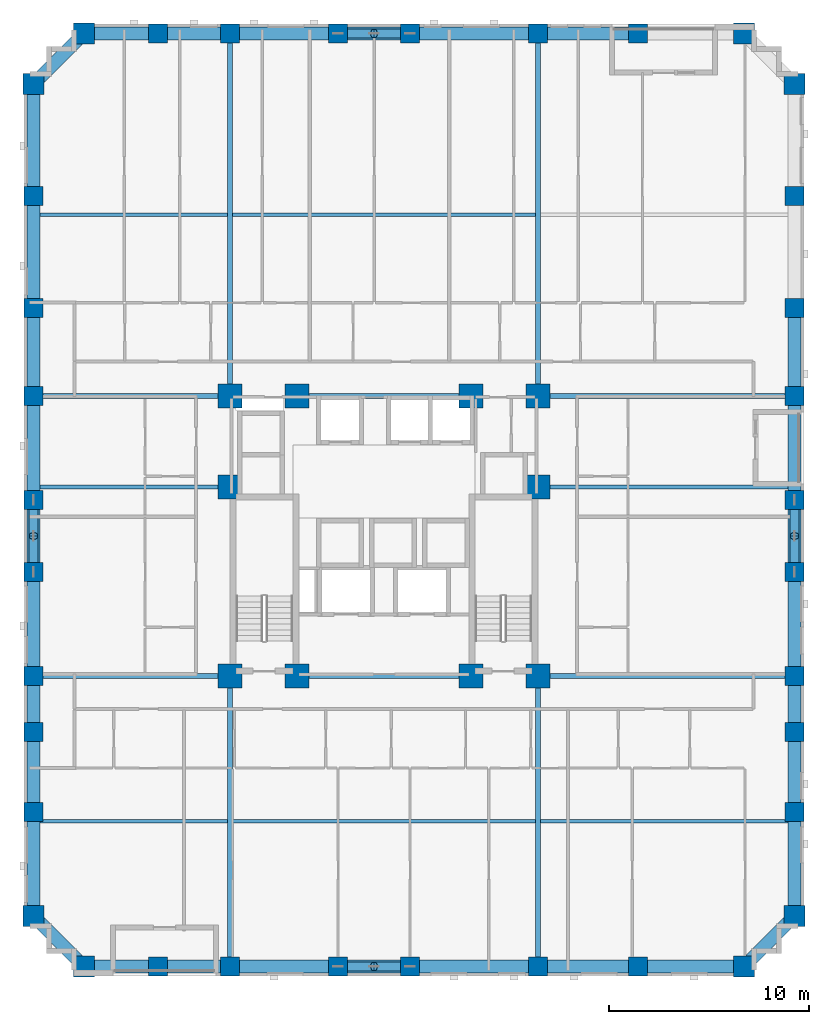
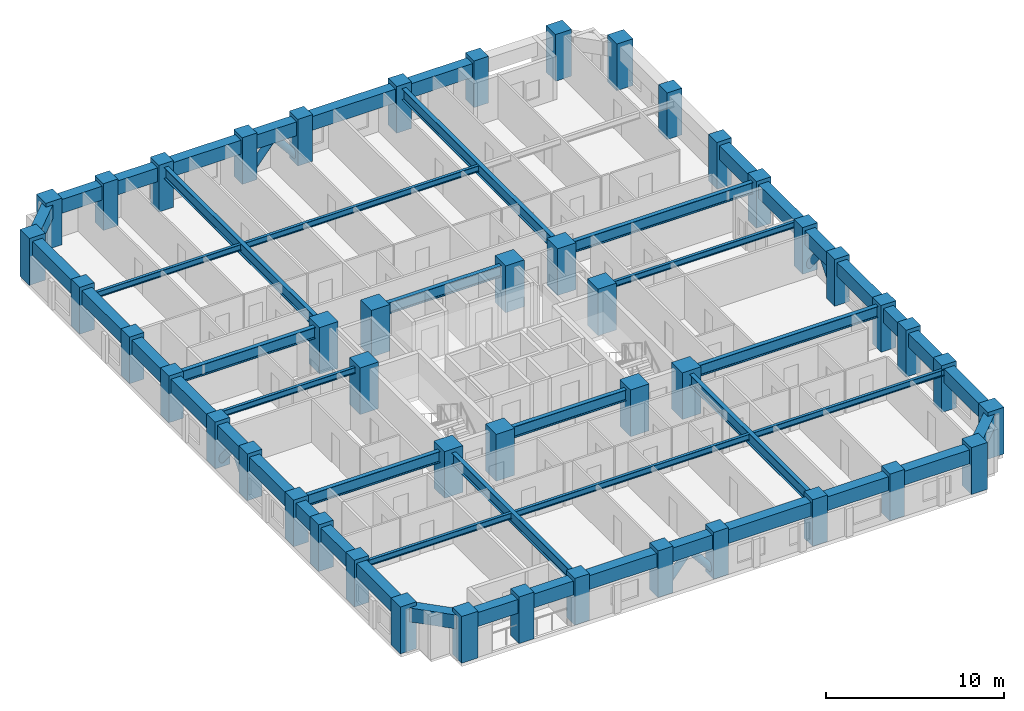
# One storey, part 1 of 13: 49 beams, 46 columns, 8 members.
"""IFC4 building model written with IfcOpenShell, lengths in metres."""

from ifc_helpers import new_model, si_unit, derived_unit, direction, frame, origin, origin_2d, place, context, subcontext, project, spatial, rectangle, hollow_circle, i_section, extrude, material, material_profile, profile_set, type_object, element, save


model = new_model("IFC4")

# Units and contexts
model_context = context("Model", 3, precision=1e-05, world=origin(), true_north=direction((0.0, 1.0)))
body_context = subcontext(model_context, "Body", "Model", "MODEL_VIEW")
ifc_project = project(units=[si_unit("LENGTHUNIT", "METRE"), si_unit("AREAUNIT", "SQUARE_METRE"), si_unit("VOLUMEUNIT", "CUBIC_METRE"), si_unit("PLANEANGLEUNIT", "RADIAN"), si_unit("MASSUNIT", "GRAM", prefix="KILO"), derived_unit("THERMALTRANSMITTANCEUNIT", [(si_unit("MASSUNIT", "GRAM", prefix="KILO"), 1), (si_unit("TIMEUNIT", "SECOND"), -3), (si_unit("THERMODYNAMICTEMPERATUREUNIT", "KELVIN"), -1)])], contexts=[model_context])

# Site, building, storey
site_placement = place(None, origin())
site = spatial("IfcSite", under=ifc_project, at=site_placement, CompositionType="ELEMENT")
building_placement = place(site_placement, origin())
building = spatial("IfcBuilding", under=site, at=building_placement, Name="Korrvale Station Residences", CompositionType="ELEMENT")
storey_placement = place(building_placement, frame((0.0, 0.0, 35.39990234375)))
storey = spatial("IfcBuildingStorey", under=building, at=storey_placement, Name="L08", CompositionType="ELEMENT", Elevation=35.39990234375)

# Columns
ifc_material_1 = material(Name="Concrete C70/85", Category="concrete")
ifc_material_profile_1 = material_profile(ifc_material_1, rectangle(XDim=1.050048828125, YDim=1.050048828125, at=origin_2d()), Name="RC1050x1050")
ifc_profile_set_1 = profile_set([ifc_material_profile_1], Name="Concrete C70/85")
column_type_1 = type_object("IfcColumnType", Name="COL-C-RC1050x1050-C7085", PredefinedType="COLUMN", material=ifc_profile_set_1)
for number, where, z_axis, x_axis, name in (
    (1, (10.5, 0.47998046875, 0.0), (0.0, 0.0, 1.0), (1.0, 0.0, 0.0), "L08 Bundled-Tube South Column 01"),
    (2, (43.5, 0.47998046875, 0.0), (0.0, 0.0, 1.0), (1.0, 0.0, 0.0), "L08 Bundled-Tube South Column 08"),
    (3, (10.5, 47.1201171875, 0.0), (0.0, 0.0, 1.0), (1.0, 0.0, 0.0), "L08 Bundled-Tube North Column 09"),
    (4, (43.5, 47.1201171875, 0.0), (0.0, 0.0, 1.0), (1.0, 0.0, 0.0), "L08 Bundled-Tube North Column 16"),
    (5, (7.97998046875, 3.0, 0.0), (0.0, 0.0, 1.0), (1.0, 0.0, 0.0), "L08 Bundled-Tube West Column 17"),
    (6, (7.97998046875, 44.60009765625, 0.0), (0.0, 0.0, 1.0), (1.0, 0.0, 0.0), "L08 Bundled-Tube West Column 26"),
    (7, (46.02001953125, 3.0, 0.0), (0.0, 0.0, 1.0), (1.0, 0.0, 0.0), "L08 Bundled-Tube East Column 27"),
    (8, (46.02001953125, 44.60009765625, 0.0), (0.0, 0.0, 1.0), (1.0, 0.0, 0.0), "L08 Bundled-Tube East Column 36"),
):
    element("IfcColumn", number, at=place(storey_placement, frame(where, z_axis=z_axis, x_axis=x_axis)), inside=storey, type_object=column_type_1, Name=name, PredefinedType="COLUMN", context=body_context, shape_type="SweptSolid", body=[
        extrude(rectangle(XDim=1.050048828125, YDim=1.050048828125, at=origin_2d()), origin(), (0.0, 0.0, 1.0), 3.2001953125),
    ])
ifc_material_profile_2 = material_profile(ifc_material_1, rectangle(XDim=1.199951171875, YDim=1.199951171875, at=origin_2d()), Name="RC1200x1200")
ifc_profile_set_2 = profile_set([ifc_material_profile_2], Name="Concrete C70/85")
column_type_2 = type_object("IfcColumnType", Name="COL-C-RC1200x1200-C7085", PredefinedType="COLUMN", material=ifc_profile_set_2)
for number, where, z_axis, x_axis, name in (
    (9, (17.800048828125, 15.0, 0.0), (0.0, 0.0, 1.0), (1.0, 0.0, 0.0), "L08 Core Column 01"),
    (10, (21.14990234375, 15.0, 0.0), (0.0, 0.0, 1.0), (1.0, 0.0, 0.0), "L08 Core Column 02"),
    (11, (29.85009765625, 15.0, 0.0), (0.0, 0.0, 1.0), (1.0, 0.0, 0.0), "L08 Core Column 03"),
    (12, (33.199951171875, 15.0, 0.0), (0.0, 0.0, 1.0), (1.0, 0.0, 0.0), "L08 Core Column 04"),
    (13, (17.800048828125, 29.0, 0.0), (0.0, 0.0, 1.0), (1.0, 0.0, 0.0), "L08 Core Column 05"),
    (14, (21.14990234375, 29.0, 0.0), (0.0, 0.0, 1.0), (1.0, 0.0, 0.0), "L08 Core Column 06"),
    (15, (29.85009765625, 29.0, 0.0), (0.0, 0.0, 1.0), (1.0, 0.0, 0.0), "L08 Core Column 07"),
    (16, (33.199951171875, 29.0, 0.0), (0.0, 0.0, 1.0), (1.0, 0.0, 0.0), "L08 Core Column 08"),
    (17, (17.800048828125, 24.449951171875, 0.0), (0.0, 0.0, 1.0), (1.0, 0.0, 0.0), "L08 Core Column 09"),
    (18, (33.199951171875, 24.449951171875, 0.0), (0.0, 0.0, 1.0), (1.0, 0.0, 0.0), "L08 Core Column 10"),
):
    element("IfcColumn", number, at=place(storey_placement, frame(where, z_axis=z_axis, x_axis=x_axis)), inside=storey, type_object=column_type_2, Name=name, PredefinedType="COLUMN", context=body_context, shape_type="SweptSolid", body=[
        extrude(rectangle(XDim=1.199951171875, YDim=1.199951171875, at=origin_2d()), origin(), (0.0, 0.0, 1.0), 3.2001953125),
    ])
ifc_material_profile_3 = material_profile(ifc_material_1, rectangle(XDim=0.949951171875, YDim=0.949951171875, at=origin_2d()), Name="RC950x950")
ifc_profile_set_3 = profile_set([ifc_material_profile_3], Name="Concrete C70/85")
column_type_3 = type_object("IfcColumnType", Name="COL-C-RC950x950-C7085", PredefinedType="COLUMN", material=ifc_profile_set_3)
for number, where, z_axis, x_axis, name in (
    (19, (14.199951171875, 0.47998046875, 0.0), (0.0, 0.0, 1.0), (1.0, 0.0, 0.0), "L08 Bundled-Tube South Column 02"),
    (20, (17.800048828125, 0.47998046875, 0.0), (0.0, 0.0, 1.0), (1.0, 0.0, 0.0), "L08 Bundled-Tube South Column 03"),
    (21, (23.199951171875, 0.47998046875, 0.0), (0.0, 0.0, 1.0), (1.0, 0.0, 0.0), "L08 Bundled-Tube South Column 04"),
    (22, (26.800048828125, 0.47998046875, 0.0), (0.0, 0.0, 1.0), (1.0, 0.0, 0.0), "L08 Bundled-Tube South Column 05"),
    (23, (33.199951171875, 0.47998046875, 0.0), (0.0, 0.0, 1.0), (1.0, 0.0, 0.0), "L08 Bundled-Tube South Column 06"),
    (24, (38.199951171875, 0.47998046875, 0.0), (0.0, 0.0, 1.0), (1.0, 0.0, 0.0), "L08 Bundled-Tube South Column 07"),
    (25, (14.199951171875, 47.1201171875, 0.0), (0.0, 0.0, 1.0), (1.0, 0.0, 0.0), "L08 Bundled-Tube North Column 10"),
    (26, (17.800048828125, 47.1201171875, 0.0), (0.0, 0.0, 1.0), (1.0, 0.0, 0.0), "L08 Bundled-Tube North Column 11"),
    (27, (23.199951171875, 47.1201171875, 0.0), (0.0, 0.0, 1.0), (1.0, 0.0, 0.0), "L08 Bundled-Tube North Column 12"),
    (28, (26.800048828125, 47.1201171875, 0.0), (0.0, 0.0, 1.0), (1.0, 0.0, 0.0), "L08 Bundled-Tube North Column 13"),
    (29, (33.199951171875, 47.1201171875, 0.0), (0.0, 0.0, 1.0), (1.0, 0.0, 0.0), "L08 Bundled-Tube North Column 14"),
    (30, (38.199951171875, 47.1201171875, 0.0), (0.0, 0.0, 1.0), (1.0, 0.0, 0.0), "L08 Bundled-Tube North Column 15"),
    (31, (7.97998046875, 8.199951171875, 0.0), (0.0, 0.0, 1.0), (1.0, 0.0, 0.0), "L08 Bundled-Tube West Column 18"),
    (32, (7.97998046875, 12.199951171875, 0.0), (0.0, 0.0, 1.0), (1.0, 0.0, 0.0), "L08 Bundled-Tube West Column 19"),
    (33, (7.97998046875, 15.0, 0.0), (0.0, 0.0, 1.0), (1.0, 0.0, 0.0), "L08 Bundled-Tube West Column 20"),
    (34, (7.97998046875, 20.199951171875, 0.0), (0.0, 0.0, 1.0), (1.0, 0.0, 0.0), "L08 Bundled-Tube West Column 21"),
    (35, (7.97998046875, 23.800048828125, 0.0), (0.0, 0.0, 1.0), (1.0, 0.0, 0.0), "L08 Bundled-Tube West Column 22"),
    (36, (7.97998046875, 29.0, 0.0), (0.0, 0.0, 1.0), (1.0, 0.0, 0.0), "L08 Bundled-Tube West Column 23"),
    (37, (7.97998046875, 33.39990234375, 0.0), (0.0, 0.0, 1.0), (1.0, 0.0, 0.0), "L08 Bundled-Tube West Column 24"),
    (38, (7.97998046875, 39.0, 0.0), (0.0, 0.0, 1.0), (1.0, 0.0, 0.0), "L08 Bundled-Tube West Column 25"),
    (39, (46.02001953125, 8.199951171875, 0.0), (0.0, 0.0, 1.0), (1.0, 0.0, 0.0), "L08 Bundled-Tube East Column 28"),
    (40, (46.02001953125, 12.199951171875, 0.0), (0.0, 0.0, 1.0), (1.0, 0.0, 0.0), "L08 Bundled-Tube East Column 29"),
    (41, (46.02001953125, 15.0, 0.0), (0.0, 0.0, 1.0), (1.0, 0.0, 0.0), "L08 Bundled-Tube East Column 30"),
    (42, (46.02001953125, 20.199951171875, 0.0), (0.0, 0.0, 1.0), (1.0, 0.0, 0.0), "L08 Bundled-Tube East Column 31"),
    (43, (46.02001953125, 23.800048828125, 0.0), (0.0, 0.0, 1.0), (1.0, 0.0, 0.0), "L08 Bundled-Tube East Column 32"),
    (44, (46.02001953125, 29.0, 0.0), (0.0, 0.0, 1.0), (1.0, 0.0, 0.0), "L08 Bundled-Tube East Column 33"),
    (45, (46.02001953125, 33.39990234375, 0.0), (0.0, 0.0, 1.0), (1.0, 0.0, 0.0), "L08 Bundled-Tube East Column 34"),
    (46, (46.02001953125, 39.0, 0.0), (0.0, 0.0, 1.0), (1.0, 0.0, 0.0), "L08 Bundled-Tube East Column 35"),
):
    element("IfcColumn", number, at=place(storey_placement, frame(where, z_axis=z_axis, x_axis=x_axis)), inside=storey, type_object=column_type_3, Name=name, PredefinedType="COLUMN", context=body_context, shape_type="SweptSolid", body=[
        extrude(rectangle(XDim=0.949951171875, YDim=0.949951171875, at=origin_2d()), origin(), (0.0, 0.0, 1.0), 3.2001953125),
    ])

# Beams
ifc_material_2 = material(Name="Steel S355", Category="steel")
ifc_material_profile_4 = material_profile(ifc_material_2, i_section(OverallWidth=0.26806640625, OverallDepth=0.77001953125, WebThickness=0.015625, FlangeThickness=0.025390625, FilletRadius=0.02197265625, at=origin_2d()), Name="W760x196")
ifc_profile_set_4 = profile_set([ifc_material_profile_4], Name="Steel S355")
beam_type_1 = type_object("IfcBeamType", Name="BM-BM-W760x196-S355", PredefinedType="BEAM", material=ifc_profile_set_4)
for number, where, z_axis, x_axis, name in (
    (47, (17.800048828125, 0.47998046875, 2.55517578125), (0.0, 1.0, 0.0), (-1.0, 0.0, 0.0), "L08 Bundled-Tube Web Girder 01"),
    (48, (33.199951171875, 0.47998046875, 2.55517578125), (0.0, 1.0, 0.0), (-1.0, 0.0, 0.0), "L08 Bundled-Tube Web Girder 02"),
):
    element("IfcBeam", number, at=place(storey_placement, frame(where, z_axis=z_axis, x_axis=x_axis)), inside=storey, type_object=beam_type_1, Name=name, PredefinedType="BEAM", context=body_context, shape_type="SweptSolid", body=[
        extrude(i_section(OverallWidth=0.26806640625, OverallDepth=0.77001953125, WebThickness=0.015625, FlangeThickness=0.025390625, FilletRadius=0.02197265625, at=origin_2d()), origin(), (0.0, 0.0, 1.0), 14.52001953125),
    ])
for number, where, z_axis, x_axis, name in (
    (49, (17.800048828125, 29.0, 2.55517578125), (0.0, 1.0, 0.0), (-1.0, 0.0, 0.0), "L08 Bundled-Tube Web Girder 03"),
    (50, (33.199951171875, 29.0, 2.55517578125), (0.0, 1.0, 0.0), (-1.0, 0.0, 0.0), "L08 Bundled-Tube Web Girder 04"),
):
    element("IfcBeam", number, at=place(storey_placement, frame(where, z_axis=z_axis, x_axis=x_axis)), inside=storey, type_object=beam_type_1, Name=name, PredefinedType="BEAM", context=body_context, shape_type="SweptSolid", body=[
        extrude(i_section(OverallWidth=0.26806640625, OverallDepth=0.77001953125, WebThickness=0.015625, FlangeThickness=0.025390625, FilletRadius=0.02197265625, at=origin_2d()), origin(), (0.0, 0.0, 1.0), 18.1201171875),
    ])
beam_1_placement = place(storey_placement, frame((7.97998046875, 15.0, 2.55517578125), z_axis=(1.0, 0.0, 0.0), x_axis=(0.0, 1.0, 0.0)))
element("IfcBeam", 51, at=beam_1_placement, inside=storey, type_object=beam_type_1, Name="L08 Bundled-Tube Web Girder 05", PredefinedType="BEAM", context=body_context, shape_type="SweptSolid", body=[
    extrude(i_section(OverallWidth=0.26806640625, OverallDepth=0.77001953125, WebThickness=0.015625, FlangeThickness=0.025390625, FilletRadius=0.02197265625, at=origin_2d()), origin(), (0.0, 0.0, 1.0), 9.820068359375),
])
beam_2_placement = place(storey_placement, frame((33.199951171875, 15.0, 2.55517578125), z_axis=(1.0, 0.0, 0.0), x_axis=(0.0, 1.0, 0.0)))
element("IfcBeam", 52, at=beam_2_placement, inside=storey, type_object=beam_type_1, Name="L08 Bundled-Tube Web Girder 06", PredefinedType="BEAM", context=body_context, shape_type="SweptSolid", body=[
    extrude(i_section(OverallWidth=0.26806640625, OverallDepth=0.77001953125, WebThickness=0.015625, FlangeThickness=0.025390625, FilletRadius=0.02197265625, at=origin_2d()), origin(), (0.0, 0.0, 1.0), 12.820068359375),
])
beam_3_placement = place(storey_placement, frame((7.97998046875, 29.0, 2.55517578125), z_axis=(1.0, 0.0, 0.0), x_axis=(0.0, 1.0, 0.0)))
element("IfcBeam", 53, at=beam_3_placement, inside=storey, type_object=beam_type_1, Name="L08 Bundled-Tube Web Girder 07", PredefinedType="BEAM", context=body_context, shape_type="SweptSolid", body=[
    extrude(i_section(OverallWidth=0.26806640625, OverallDepth=0.77001953125, WebThickness=0.015625, FlangeThickness=0.025390625, FilletRadius=0.02197265625, at=origin_2d()), origin(), (0.0, 0.0, 1.0), 9.820068359375),
])
beam_4_placement = place(storey_placement, frame((33.199951171875, 29.0, 2.55517578125), z_axis=(1.0, 0.0, 0.0), x_axis=(0.0, 1.0, 0.0)))
element("IfcBeam", 54, at=beam_4_placement, inside=storey, type_object=beam_type_1, Name="L08 Bundled-Tube Web Girder 08", PredefinedType="BEAM", context=body_context, shape_type="SweptSolid", body=[
    extrude(i_section(OverallWidth=0.26806640625, OverallDepth=0.77001953125, WebThickness=0.015625, FlangeThickness=0.025390625, FilletRadius=0.02197265625, at=origin_2d()), origin(), (0.0, 0.0, 1.0), 12.820068359375),
])
for number, where, z_axis, x_axis, name in (
    (55, (21.14990234375, 15.0, 2.55517578125), (1.0, 0.0, 0.0), (0.0, 1.0, 0.0), "L08 Bundled-Tube Web Girder 09"),
    (56, (21.14990234375, 29.0, 2.55517578125), (1.0, 0.0, 0.0), (0.0, 1.0, 0.0), "L08 Bundled-Tube Web Girder 10"),
):
    element("IfcBeam", number, at=place(storey_placement, frame(where, z_axis=z_axis, x_axis=x_axis)), inside=storey, type_object=beam_type_1, Name=name, PredefinedType="BEAM", context=body_context, shape_type="SweptSolid", body=[
        extrude(i_section(OverallWidth=0.26806640625, OverallDepth=0.77001953125, WebThickness=0.015625, FlangeThickness=0.025390625, FilletRadius=0.02197265625, at=origin_2d()), origin(), (0.0, 0.0, 1.0), 8.7001953125),
    ])
ifc_material_profile_5 = material_profile(ifc_material_2, i_section(OverallWidth=0.180908203125, OverallDepth=0.4169921875, WebThickness=0.010986328125, FlangeThickness=0.018310546875, FilletRadius=0.01611328125, at=origin_2d()), Name="W410x85")
ifc_profile_set_5 = profile_set([ifc_material_profile_5], Name="Steel S355")
beam_type_2 = type_object("IfcBeamType", Name="BM-JST-W410x85-S355", PredefinedType="JOIST", material=ifc_profile_set_5)
beam_5_placement = place(storey_placement, frame((8.304931640625, 7.739990234375, 2.731689453125), z_axis=(1.0, 0.0, 0.0), x_axis=(0.0, 1.0, 0.0)))
element("IfcBeam", 57, at=beam_5_placement, inside=storey, type_object=beam_type_2, Name="L08 Floor Framing Joist 01", PredefinedType="JOIST", context=body_context, shape_type="SweptSolid", body=[
    extrude(i_section(OverallWidth=0.180908203125, OverallDepth=0.4169921875, WebThickness=0.010986328125, FlangeThickness=0.018310546875, FilletRadius=0.01611328125, at=origin_2d()), origin(), (0.0, 0.0, 1.0), 9.361083984375),
])
beam_6_placement = place(storey_placement, frame((17.93408203125, 7.739990234375, 2.731689453125), z_axis=(1.0, 0.0, 0.0), x_axis=(0.0, 1.0, 0.0)))
element("IfcBeam", 58, at=beam_6_placement, inside=storey, type_object=beam_type_2, Name="L08 Floor Framing Joist 02", PredefinedType="JOIST", context=body_context, shape_type="SweptSolid", body=[
    extrude(i_section(OverallWidth=0.180908203125, OverallDepth=0.4169921875, WebThickness=0.010986328125, FlangeThickness=0.018310546875, FilletRadius=0.01611328125, at=origin_2d()), origin(), (0.0, 0.0, 1.0), 15.1318359375),
])
beam_7_placement = place(storey_placement, frame((33.333984375, 7.739990234375, 2.731689453125), z_axis=(1.0, 0.0, 0.0), x_axis=(0.0, 1.0, 0.0)))
element("IfcBeam", 59, at=beam_7_placement, inside=storey, type_object=beam_type_2, Name="L08 Floor Framing Joist 03", PredefinedType="JOIST", context=body_context, shape_type="SweptSolid", body=[
    extrude(i_section(OverallWidth=0.180908203125, OverallDepth=0.4169921875, WebThickness=0.010986328125, FlangeThickness=0.018310546875, FilletRadius=0.01611328125, at=origin_2d()), origin(), (0.0, 0.0, 1.0), 12.361083984375),
])
beam_8_placement = place(storey_placement, frame((8.304931640625, 38.06005859375, 2.731689453125), z_axis=(1.0, 0.0, 0.0), x_axis=(0.0, 1.0, 0.0)))
element("IfcBeam", 60, at=beam_8_placement, inside=storey, type_object=beam_type_2, Name="L08 Floor Framing Joist 04", PredefinedType="JOIST", context=body_context, shape_type="SweptSolid", body=[
    extrude(i_section(OverallWidth=0.180908203125, OverallDepth=0.4169921875, WebThickness=0.010986328125, FlangeThickness=0.018310546875, FilletRadius=0.01611328125, at=origin_2d()), origin(), (0.0, 0.0, 1.0), 9.361083984375),
])
beam_9_placement = place(storey_placement, frame((17.93408203125, 38.06005859375, 2.731689453125), z_axis=(1.0, 0.0, 0.0), x_axis=(0.0, 1.0, 0.0)))
element("IfcBeam", 61, at=beam_9_placement, inside=storey, type_object=beam_type_2, Name="L08 Floor Framing Joist 05", PredefinedType="JOIST", context=body_context, shape_type="SweptSolid", body=[
    extrude(i_section(OverallWidth=0.180908203125, OverallDepth=0.4169921875, WebThickness=0.010986328125, FlangeThickness=0.018310546875, FilletRadius=0.01611328125, at=origin_2d()), origin(), (0.0, 0.0, 1.0), 15.1318359375),
])
beam_10_placement = place(storey_placement, frame((33.199951171875, 24.449951171875, 2.731689453125), z_axis=(1.0, 0.0, 0.0), x_axis=(0.0, 1.0, 0.0)))
element("IfcBeam", 62, at=beam_10_placement, inside=storey, type_object=beam_type_2, Name="L08 Floor Framing Joist 07", PredefinedType="JOIST", context=body_context, shape_type="SweptSolid", body=[
    extrude(i_section(OverallWidth=0.180908203125, OverallDepth=0.4169921875, WebThickness=0.010986328125, FlangeThickness=0.018310546875, FilletRadius=0.01611328125, at=origin_2d()), origin(), (0.0, 0.0, 1.0), 12.4951171875),
])
beam_11_placement = place(storey_placement, frame((8.304931640625, 24.449951171875, 2.731689453125), z_axis=(1.0, 0.0, 0.0), x_axis=(0.0, 1.0, 0.0)))
element("IfcBeam", 63, at=beam_11_placement, inside=storey, type_object=beam_type_2, Name="L08 Floor Framing Joist 08", PredefinedType="JOIST", context=body_context, shape_type="SweptSolid", body=[
    extrude(i_section(OverallWidth=0.180908203125, OverallDepth=0.4169921875, WebThickness=0.010986328125, FlangeThickness=0.018310546875, FilletRadius=0.01611328125, at=origin_2d()), origin(), (0.0, 0.0, 1.0), 9.4951171875),
])
ifc_material_profile_6 = material_profile(ifc_material_1, rectangle(XDim=0.64990234375, YDim=0.949951171875, at=origin_2d()), Name="RCB650x950")
ifc_profile_set_6 = profile_set([ifc_material_profile_6], Name="Concrete C70/85")
beam_type_3 = type_object("IfcBeamType", Name="BM-SPB-RCB650x950-C7085", PredefinedType="SPANDREL", material=ifc_profile_set_6)
beam_12_placement = place(storey_placement, frame((10.5, 0.47998046875, 2.465087890625), z_axis=(1.0, 0.0, 0.0), x_axis=(0.0, 1.0, 0.0)))
element("IfcBeam", 64, at=beam_12_placement, inside=storey, type_object=beam_type_3, Name="L08 South Tube Spandrel 01", PredefinedType="SPANDREL", context=body_context, shape_type="SweptSolid", body=[
    extrude(rectangle(XDim=0.64990234375, YDim=0.949951171875, at=origin_2d()), origin(), (0.0, 0.0, 1.0), 3.699951171875),
])
beam_13_placement = place(storey_placement, frame((14.199951171875, 0.47998046875, 2.465087890625), z_axis=(1.0, 0.0, 0.0), x_axis=(0.0, 1.0, 0.0)))
element("IfcBeam", 65, at=beam_13_placement, inside=storey, type_object=beam_type_3, Name="L08 South Tube Spandrel 02", PredefinedType="SPANDREL", context=body_context, shape_type="SweptSolid", body=[
    extrude(rectangle(XDim=0.64990234375, YDim=0.949951171875, at=origin_2d()), origin(), (0.0, 0.0, 1.0), 3.60009765625),
])
beam_14_placement = place(storey_placement, frame((17.800048828125, 0.47998046875, 2.465087890625), z_axis=(1.0, 0.0, 0.0), x_axis=(0.0, 1.0, 0.0)))
element("IfcBeam", 66, at=beam_14_placement, inside=storey, type_object=beam_type_3, Name="L08 South Tube Spandrel 03", PredefinedType="SPANDREL", context=body_context, shape_type="SweptSolid", body=[
    extrude(rectangle(XDim=0.64990234375, YDim=0.949951171875, at=origin_2d()), origin(), (0.0, 0.0, 1.0), 5.39990234375),
])
beam_15_placement = place(storey_placement, frame((23.199951171875, 0.47998046875, 2.465087890625), z_axis=(1.0, 0.0, 0.0), x_axis=(0.0, 1.0, 0.0)))
element("IfcBeam", 67, at=beam_15_placement, inside=storey, type_object=beam_type_3, Name="L08 South Tube Spandrel 04", PredefinedType="SPANDREL", context=body_context, shape_type="SweptSolid", body=[
    extrude(rectangle(XDim=0.64990234375, YDim=0.949951171875, at=origin_2d()), origin(), (0.0, 0.0, 1.0), 3.60009765625),
])
beam_16_placement = place(storey_placement, frame((26.800048828125, 0.47998046875, 2.465087890625), z_axis=(1.0, 0.0, 0.0), x_axis=(0.0, 1.0, 0.0)))
element("IfcBeam", 68, at=beam_16_placement, inside=storey, type_object=beam_type_3, Name="L08 South Tube Spandrel 05", PredefinedType="SPANDREL", context=body_context, shape_type="SweptSolid", body=[
    extrude(rectangle(XDim=0.64990234375, YDim=0.949951171875, at=origin_2d()), origin(), (0.0, 0.0, 1.0), 6.39990234375),
])
beam_17_placement = place(storey_placement, frame((33.199951171875, 0.47998046875, 2.465087890625), z_axis=(1.0, 0.0, 0.0), x_axis=(0.0, 1.0, 0.0)))
element("IfcBeam", 69, at=beam_17_placement, inside=storey, type_object=beam_type_3, Name="L08 South Tube Spandrel 06", PredefinedType="SPANDREL", context=body_context, shape_type="SweptSolid", body=[
    extrude(rectangle(XDim=0.64990234375, YDim=0.949951171875, at=origin_2d()), origin(), (0.0, 0.0, 1.0), 5.0),
])
beam_18_placement = place(storey_placement, frame((38.199951171875, 0.47998046875, 2.465087890625), z_axis=(1.0, 0.0, 0.0), x_axis=(0.0, 1.0, 0.0)))
element("IfcBeam", 70, at=beam_18_placement, inside=storey, type_object=beam_type_3, Name="L08 South Tube Spandrel 07", PredefinedType="SPANDREL", context=body_context, shape_type="SweptSolid", body=[
    extrude(rectangle(XDim=0.64990234375, YDim=0.949951171875, at=origin_2d()), origin(), (0.0, 0.0, 1.0), 5.300048828125),
])
beam_19_placement = place(storey_placement, frame((10.5, 47.1201171875, 2.465087890625), z_axis=(1.0, 0.0, 0.0), x_axis=(0.0, 1.0, 0.0)))
element("IfcBeam", 71, at=beam_19_placement, inside=storey, type_object=beam_type_3, Name="L08 North Tube Spandrel 08", PredefinedType="SPANDREL", context=body_context, shape_type="SweptSolid", body=[
    extrude(rectangle(XDim=0.64990234375, YDim=0.949951171875, at=origin_2d()), origin(), (0.0, 0.0, 1.0), 3.699951171875),
])
beam_20_placement = place(storey_placement, frame((14.199951171875, 47.1201171875, 2.465087890625), z_axis=(1.0, 0.0, 0.0), x_axis=(0.0, 1.0, 0.0)))
element("IfcBeam", 72, at=beam_20_placement, inside=storey, type_object=beam_type_3, Name="L08 North Tube Spandrel 09", PredefinedType="SPANDREL", context=body_context, shape_type="SweptSolid", body=[
    extrude(rectangle(XDim=0.64990234375, YDim=0.949951171875, at=origin_2d()), origin(), (0.0, 0.0, 1.0), 3.60009765625),
])
beam_21_placement = place(storey_placement, frame((17.800048828125, 47.1201171875, 2.465087890625), z_axis=(1.0, 0.0, 0.0), x_axis=(0.0, 1.0, 0.0)))
element("IfcBeam", 73, at=beam_21_placement, inside=storey, type_object=beam_type_3, Name="L08 North Tube Spandrel 10", PredefinedType="SPANDREL", context=body_context, shape_type="SweptSolid", body=[
    extrude(rectangle(XDim=0.64990234375, YDim=0.949951171875, at=origin_2d()), origin(), (0.0, 0.0, 1.0), 5.39990234375),
])
beam_22_placement = place(storey_placement, frame((23.199951171875, 47.1201171875, 2.465087890625), z_axis=(1.0, 0.0, 0.0), x_axis=(0.0, 1.0, 0.0)))
element("IfcBeam", 74, at=beam_22_placement, inside=storey, type_object=beam_type_3, Name="L08 North Tube Spandrel 11", PredefinedType="SPANDREL", context=body_context, shape_type="SweptSolid", body=[
    extrude(rectangle(XDim=0.64990234375, YDim=0.949951171875, at=origin_2d()), origin(), (0.0, 0.0, 1.0), 3.60009765625),
])
beam_23_placement = place(storey_placement, frame((26.800048828125, 47.1201171875, 2.465087890625), z_axis=(1.0, 0.0, 0.0), x_axis=(0.0, 1.0, 0.0)))
element("IfcBeam", 75, at=beam_23_placement, inside=storey, type_object=beam_type_3, Name="L08 North Tube Spandrel 12", PredefinedType="SPANDREL", context=body_context, shape_type="SweptSolid", body=[
    extrude(rectangle(XDim=0.64990234375, YDim=0.949951171875, at=origin_2d()), origin(), (0.0, 0.0, 1.0), 6.39990234375),
])
beam_24_placement = place(storey_placement, frame((33.199951171875, 47.1201171875, 2.465087890625), z_axis=(1.0, 0.0, 0.0), x_axis=(0.0, 1.0, 0.0)))
element("IfcBeam", 76, at=beam_24_placement, inside=storey, type_object=beam_type_3, Name="L08 North Tube Spandrel 13", PredefinedType="SPANDREL", context=body_context, shape_type="SweptSolid", body=[
    extrude(rectangle(XDim=0.64990234375, YDim=0.949951171875, at=origin_2d()), origin(), (0.0, 0.0, 1.0), 5.0),
])
beam_25_placement = place(storey_placement, frame((7.97998046875, 3.0, 2.465087890625), z_axis=(0.0, 1.0, 0.0), x_axis=(-1.0, 0.0, 0.0)))
element("IfcBeam", 77, at=beam_25_placement, inside=storey, type_object=beam_type_3, Name="L08 West Tube Spandrel 15", PredefinedType="SPANDREL", context=body_context, shape_type="SweptSolid", body=[
    extrude(rectangle(XDim=0.64990234375, YDim=0.949951171875, at=origin_2d()), origin(), (0.0, 0.0, 1.0), 5.199951171875),
])
beam_26_placement = place(storey_placement, frame((7.97998046875, 8.199951171875, 2.465087890625), z_axis=(0.0, 1.0, 0.0), x_axis=(-1.0, 0.0, 0.0)))
element("IfcBeam", 78, at=beam_26_placement, inside=storey, type_object=beam_type_3, Name="L08 West Tube Spandrel 16", PredefinedType="SPANDREL", context=body_context, shape_type="SweptSolid", body=[
    extrude(rectangle(XDim=0.64990234375, YDim=0.949951171875, at=origin_2d()), origin(), (0.0, 0.0, 1.0), 4.0),
])
beam_27_placement = place(storey_placement, frame((7.97998046875, 12.199951171875, 2.465087890625), z_axis=(0.0, 1.0, 0.0), x_axis=(-1.0, 0.0, 0.0)))
element("IfcBeam", 79, at=beam_27_placement, inside=storey, type_object=beam_type_3, Name="L08 West Tube Spandrel 17", PredefinedType="SPANDREL", context=body_context, shape_type="SweptSolid", body=[
    extrude(rectangle(XDim=0.64990234375, YDim=0.949951171875, at=origin_2d()), origin(), (0.0, 0.0, 1.0), 2.800048828125),
])
beam_28_placement = place(storey_placement, frame((7.97998046875, 15.0, 2.465087890625), z_axis=(0.0, 1.0, 0.0), x_axis=(-1.0, 0.0, 0.0)))
element("IfcBeam", 80, at=beam_28_placement, inside=storey, type_object=beam_type_3, Name="L08 West Tube Spandrel 18", PredefinedType="SPANDREL", context=body_context, shape_type="SweptSolid", body=[
    extrude(rectangle(XDim=0.64990234375, YDim=0.949951171875, at=origin_2d()), origin(), (0.0, 0.0, 1.0), 5.199951171875),
])
beam_29_placement = place(storey_placement, frame((7.97998046875, 20.199951171875, 2.465087890625), z_axis=(0.0, 1.0, 0.0), x_axis=(-1.0, 0.0, 0.0)))
element("IfcBeam", 81, at=beam_29_placement, inside=storey, type_object=beam_type_3, Name="L08 West Tube Spandrel 19", PredefinedType="SPANDREL", context=body_context, shape_type="SweptSolid", body=[
    extrude(rectangle(XDim=0.64990234375, YDim=0.949951171875, at=origin_2d()), origin(), (0.0, 0.0, 1.0), 3.60009765625),
])
beam_30_placement = place(storey_placement, frame((7.97998046875, 23.800048828125, 2.465087890625), z_axis=(0.0, 1.0, 0.0), x_axis=(-1.0, 0.0, 0.0)))
element("IfcBeam", 82, at=beam_30_placement, inside=storey, type_object=beam_type_3, Name="L08 West Tube Spandrel 20", PredefinedType="SPANDREL", context=body_context, shape_type="SweptSolid", body=[
    extrude(rectangle(XDim=0.64990234375, YDim=0.949951171875, at=origin_2d()), origin(), (0.0, 0.0, 1.0), 5.199951171875),
])
beam_31_placement = place(storey_placement, frame((7.97998046875, 29.0, 2.465087890625), z_axis=(0.0, 1.0, 0.0), x_axis=(-1.0, 0.0, 0.0)))
element("IfcBeam", 83, at=beam_31_placement, inside=storey, type_object=beam_type_3, Name="L08 West Tube Spandrel 21", PredefinedType="SPANDREL", context=body_context, shape_type="SweptSolid", body=[
    extrude(rectangle(XDim=0.64990234375, YDim=0.949951171875, at=origin_2d()), origin(), (0.0, 0.0, 1.0), 4.39990234375),
])
for number, where, z_axis, x_axis, name in (
    (84, (7.97998046875, 33.39990234375, 2.465087890625), (0.0, 1.0, 0.0), (-1.0, 0.0, 0.0), "L08 West Tube Spandrel 22"),
    (85, (7.97998046875, 39.0, 2.465087890625), (0.0, 1.0, 0.0), (-1.0, 0.0, 0.0), "L08 West Tube Spandrel 23"),
):
    element("IfcBeam", number, at=place(storey_placement, frame(where, z_axis=z_axis, x_axis=x_axis)), inside=storey, type_object=beam_type_3, Name=name, PredefinedType="SPANDREL", context=body_context, shape_type="SweptSolid", body=[
        extrude(rectangle(XDim=0.64990234375, YDim=0.949951171875, at=origin_2d()), origin(), (0.0, 0.0, 1.0), 5.60009765625),
    ])
beam_32_placement = place(storey_placement, frame((46.02001953125, 3.0, 2.465087890625), z_axis=(0.0, 1.0, 0.0), x_axis=(-1.0, 0.0, 0.0)))
element("IfcBeam", 86, at=beam_32_placement, inside=storey, type_object=beam_type_3, Name="L08 East Tube Spandrel 24", PredefinedType="SPANDREL", context=body_context, shape_type="SweptSolid", body=[
    extrude(rectangle(XDim=0.64990234375, YDim=0.949951171875, at=origin_2d()), origin(), (0.0, 0.0, 1.0), 5.199951171875),
])
beam_33_placement = place(storey_placement, frame((46.02001953125, 8.199951171875, 2.465087890625), z_axis=(0.0, 1.0, 0.0), x_axis=(-1.0, 0.0, 0.0)))
element("IfcBeam", 87, at=beam_33_placement, inside=storey, type_object=beam_type_3, Name="L08 East Tube Spandrel 25", PredefinedType="SPANDREL", context=body_context, shape_type="SweptSolid", body=[
    extrude(rectangle(XDim=0.64990234375, YDim=0.949951171875, at=origin_2d()), origin(), (0.0, 0.0, 1.0), 4.0),
])
beam_34_placement = place(storey_placement, frame((46.02001953125, 12.199951171875, 2.465087890625), z_axis=(0.0, 1.0, 0.0), x_axis=(-1.0, 0.0, 0.0)))
element("IfcBeam", 88, at=beam_34_placement, inside=storey, type_object=beam_type_3, Name="L08 East Tube Spandrel 26", PredefinedType="SPANDREL", context=body_context, shape_type="SweptSolid", body=[
    extrude(rectangle(XDim=0.64990234375, YDim=0.949951171875, at=origin_2d()), origin(), (0.0, 0.0, 1.0), 2.800048828125),
])
beam_35_placement = place(storey_placement, frame((46.02001953125, 15.0, 2.465087890625), z_axis=(0.0, 1.0, 0.0), x_axis=(-1.0, 0.0, 0.0)))
element("IfcBeam", 89, at=beam_35_placement, inside=storey, type_object=beam_type_3, Name="L08 East Tube Spandrel 27", PredefinedType="SPANDREL", context=body_context, shape_type="SweptSolid", body=[
    extrude(rectangle(XDim=0.64990234375, YDim=0.949951171875, at=origin_2d()), origin(), (0.0, 0.0, 1.0), 5.199951171875),
])
beam_36_placement = place(storey_placement, frame((46.02001953125, 20.199951171875, 2.465087890625), z_axis=(0.0, 1.0, 0.0), x_axis=(-1.0, 0.0, 0.0)))
element("IfcBeam", 90, at=beam_36_placement, inside=storey, type_object=beam_type_3, Name="L08 East Tube Spandrel 28", PredefinedType="SPANDREL", context=body_context, shape_type="SweptSolid", body=[
    extrude(rectangle(XDim=0.64990234375, YDim=0.949951171875, at=origin_2d()), origin(), (0.0, 0.0, 1.0), 3.60009765625),
])
beam_37_placement = place(storey_placement, frame((46.02001953125, 23.800048828125, 2.465087890625), z_axis=(0.0, 1.0, 0.0), x_axis=(-1.0, 0.0, 0.0)))
element("IfcBeam", 91, at=beam_37_placement, inside=storey, type_object=beam_type_3, Name="L08 East Tube Spandrel 29", PredefinedType="SPANDREL", context=body_context, shape_type="SweptSolid", body=[
    extrude(rectangle(XDim=0.64990234375, YDim=0.949951171875, at=origin_2d()), origin(), (0.0, 0.0, 1.0), 5.199951171875),
])
beam_38_placement = place(storey_placement, frame((46.02001953125, 29.0, 2.465087890625), z_axis=(0.0, 1.0, 0.0), x_axis=(-1.0, 0.0, 0.0)))
element("IfcBeam", 92, at=beam_38_placement, inside=storey, type_object=beam_type_3, Name="L08 East Tube Spandrel 30", PredefinedType="SPANDREL", context=body_context, shape_type="SweptSolid", body=[
    extrude(rectangle(XDim=0.64990234375, YDim=0.949951171875, at=origin_2d()), origin(), (0.0, 0.0, 1.0), 4.39990234375),
])
for number, where, z_axis, x_axis, name in (
    (93, (10.5, 0.47998046875, 2.465087890625), (-0.707106781187, 0.707106781187, 0.0), (-0.707106781187, -0.707106781187, 0.0), "L08 Serrated Corner Spandrel 33"),
    (94, (43.5, 0.47998046875, 2.465087890625), (0.707106781187, 0.707106781187, 0.0), (-0.707106781187, 0.707106781187, 0.0), "L08 Serrated Corner Spandrel 34"),
    (95, (10.5, 47.1201171875, 2.465087890625), (-0.707106781187, -0.707106781187, 0.0), (0.707106781187, -0.707106781187, 0.0), "L08 Serrated Corner Spandrel 36"),
):
    element("IfcBeam", number, at=place(storey_placement, frame(where, z_axis=z_axis, x_axis=x_axis)), inside=storey, type_object=beam_type_3, Name=name, PredefinedType="SPANDREL", context=body_context, shape_type="SweptSolid", body=[
        extrude(rectangle(XDim=0.64990234375, YDim=0.949951171875, at=origin_2d()), origin(), (0.0, 0.0, 1.0), 3.56396484375),
    ])

# Members
ifc_material_profile_7 = material_profile(ifc_material_2, hollow_circle(Radius=0.228515625, WallThickness=0.01904296875, at=origin_2d()), Name="HSS457x19")
ifc_profile_set_7 = profile_set([ifc_material_profile_7], Name="Steel S355")
member_type = type_object("IfcMemberType", Name="MBR-BR-HSS457x19", PredefinedType="BRACE", material=ifc_profile_set_7)
for number, where, z_axis, x_axis, name in (
    (96, (23.199951171875, 0.47998046875, 0.02001953125), (0.634943249511, 0.0, 0.772558780871), (0.0, 1.0, 0.0), "L08 S Perimeter Tube Wind Brace 1"),
    (97, (26.800048828125, 0.47998046875, 0.02001953125), (-0.634943249511, 0.0, 0.772558780871), (0.0, -1.0, 0.0), "L08 S Perimeter Tube Wind Brace 2"),
    (98, (23.199951171875, 47.1201171875, 0.02001953125), (0.634943249511, 0.0, 0.772558780871), (0.0, 1.0, 0.0), "L08 N Perimeter Tube Wind Brace 1"),
    (99, (26.800048828125, 47.1201171875, 0.02001953125), (-0.634943249511, 0.0, 0.772558780871), (0.0, -1.0, 0.0), "L08 N Perimeter Tube Wind Brace 2"),
    (100, (7.97998046875, 20.199951171875, 0.02001953125), (0.0, 0.634943249511, 0.772558780871), (-1.0, 0.0, 0.0), "L08 W Perimeter Tube Wind Brace 1"),
    (101, (7.97998046875, 23.800048828125, 0.02001953125), (0.0, -0.634943249511, 0.772558780871), (1.0, 0.0, 0.0), "L08 W Perimeter Tube Wind Brace 2"),
    (102, (46.02001953125, 20.199951171875, 0.02001953125), (0.0, 0.634943249511, 0.772558780871), (-1.0, 0.0, 0.0), "L08 E Perimeter Tube Wind Brace 1"),
    (103, (46.02001953125, 23.800048828125, 0.02001953125), (0.0, -0.634943249511, 0.772558780871), (1.0, 0.0, 0.0), "L08 E Perimeter Tube Wind Brace 2"),
):
    element("IfcMember", number, at=place(storey_placement, frame(where, z_axis=z_axis, x_axis=x_axis)), inside=storey, type_object=member_type, Name=name, PredefinedType="BRACE", context=body_context, shape_type="SweptSolid", body=[
        extrude(hollow_circle(Radius=0.228515625, WallThickness=0.01904296875, at=origin_2d()), origin(), (0.0, 0.0, 1.0), 2.8349609375),
    ])

save(model, "model.ifc")
